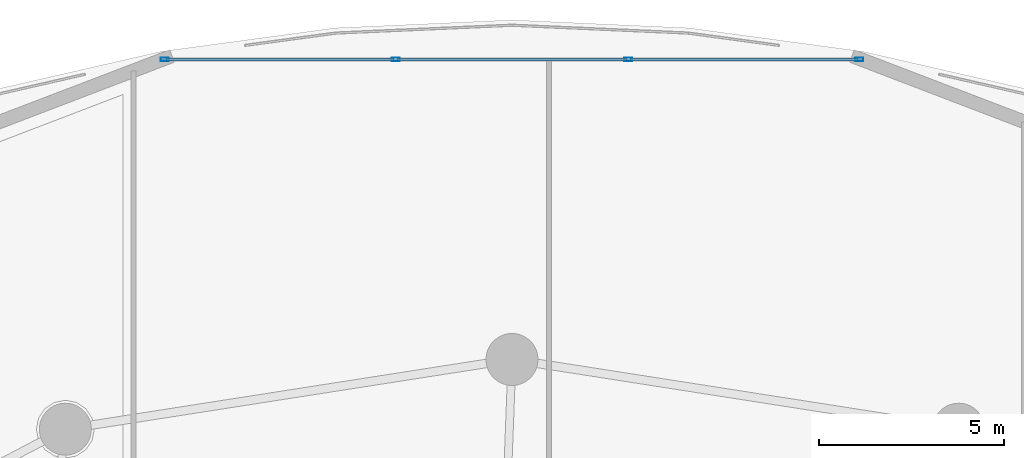
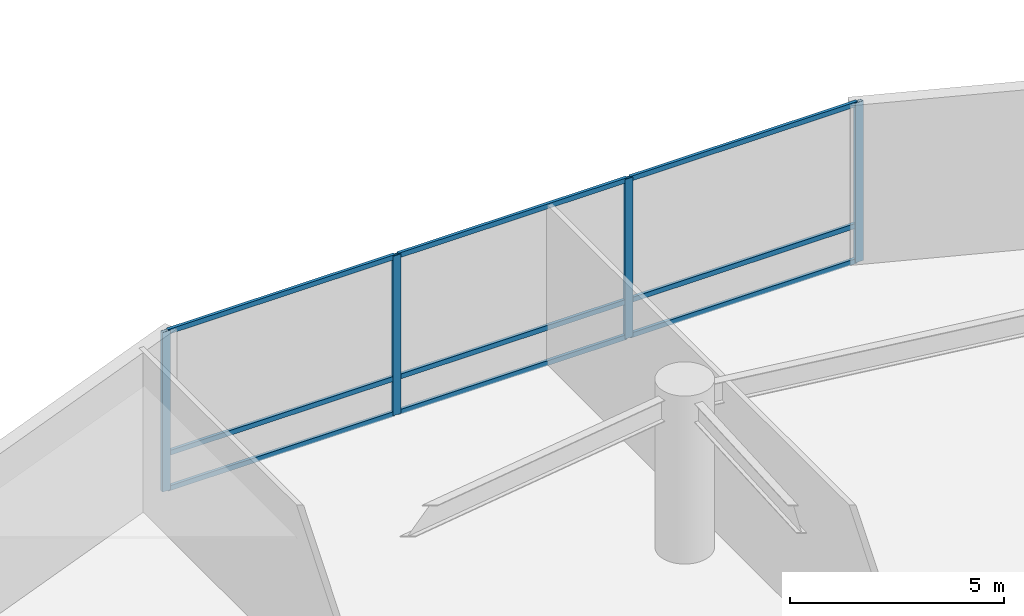
# One storey, part 13 of 26: 13 members, 1 element without a shape of its own.
"""IFC4 building model written with IfcOpenShell, lengths in metres."""

from ifc_helpers import new_model, si_unit, direction, frame, origin, origin_2d, place, context, subcontext, project, spatial, hollow_rectangle, extrude, material, layer, layer_set, material_profile, profile_set, type_object, element, aggregate, save


model = new_model("IFC4")

# Units and contexts
model_context = context("Model", 3, precision=1e-05, world=origin(), true_north=direction((0.0, 1.0)))
body_context = subcontext(model_context, "Body", "Model", "MODEL_VIEW")
ifc_project = project(units=[si_unit("LENGTHUNIT", "METRE"), si_unit("AREAUNIT", "SQUARE_METRE"), si_unit("VOLUMEUNIT", "CUBIC_METRE"), si_unit("PLANEANGLEUNIT", "RADIAN"), si_unit("MASSUNIT", "GRAM", prefix="KILO")], contexts=[model_context])

# Site, building, storey
site_placement = place(None, origin())
site = spatial("IfcSite", under=ifc_project, at=site_placement, CompositionType="ELEMENT")
building_placement = place(site_placement, origin())
building = spatial("IfcBuilding", under=site, at=building_placement, Name="Kazevale Care Tower and Concert Hall", CompositionType="ELEMENT")
storey_placement = place(building_placement, frame((0.0, 0.0, 19.199951171875)))
storey = spatial("IfcBuildingStorey", under=building, at=storey_placement, Name="L04", CompositionType="ELEMENT", Elevation=19.199951171875)

# Curtain wall, members
ifc_material_1 = material(Name="Aluminium 6063-T6 and Low-E Glass", Category="aluminium")
ifc_layer = layer(ifc_material_1, 0.179931640625)
ifc_layer_set = layer_set([ifc_layer], Name="Aluminium 6063-T6 and Low-E Glass")
curtain_wall_type = type_object("IfcCurtainWallType", Name="Podium Double-Skin Medical Curtain Wall CW-1", PredefinedType="NOTDEFINED", material=ifc_layer_set)
curtain_wall_placement = place(storey_placement, origin())
curtain_wall = element("IfcCurtainWall", 1, at=curtain_wall_placement, inside=storey, type_object=curtain_wall_type, Name="cw:L04:pod:04", PredefinedType="NOTDEFINED")
ifc_material_2 = material(Name="Aluminium 6063-T6", Category="aluminium")
ifc_material_profile_1 = material_profile(ifc_material_2, hollow_rectangle(XDim=0.090087890625, YDim=0.219970703125, WallThickness=0.0048828125, at=origin_2d()), Name="ALU90x220x5")
ifc_profile_set_1 = profile_set([ifc_material_profile_1], Name="Aluminium 6063-T6")
member_type_1 = type_object("IfcMemberType", Name="CW-1 Mullion ALU90x220x5", PredefinedType="MULLION", material=ifc_profile_set_1)
member_1_placement = place(storey_placement, frame((54.363037109375, 70.738037109375, 0.0), z_axis=(0.0, 0.0, 1.0), x_axis=(0.0, -1.0, 0.0)))
member_1 = element("IfcMember", 2, at=member_1_placement, type_object=member_type_1, Name="CW-1 mullion 1", PredefinedType="MULLION", context=body_context, shape_type="SweptSolid", body=[
    extrude(hollow_rectangle(XDim=0.090087890625, YDim=0.219970703125, WallThickness=0.0048828125, at=origin_2d()), origin(), (0.0, 0.0, 1.0), 4.56005859375),
])
member_2_placement = place(storey_placement, frame((48.135986328125, 70.738037109375, 0.0), z_axis=(0.0, 0.0, 1.0), x_axis=(0.0, -1.0, 0.0)))
member_2 = element("IfcMember", 3, at=member_2_placement, type_object=member_type_1, Name="CW-1 mullion 2", PredefinedType="MULLION", context=body_context, shape_type="SweptSolid", body=[
    extrude(hollow_rectangle(XDim=0.090087890625, YDim=0.219970703125, WallThickness=0.0048828125, at=origin_2d()), origin(), (0.0, 0.0, 1.0), 4.56005859375),
])
member_3_placement = place(storey_placement, frame((41.864013671875, 70.738037109375, 0.0), z_axis=(0.0, 0.0, 1.0), x_axis=(0.0, -1.0, 0.0)))
member_3 = element("IfcMember", 4, at=member_3_placement, type_object=member_type_1, Name="CW-1 mullion 3", PredefinedType="MULLION", context=body_context, shape_type="SweptSolid", body=[
    extrude(hollow_rectangle(XDim=0.090087890625, YDim=0.219970703125, WallThickness=0.0048828125, at=origin_2d()), origin(), (0.0, 0.0, 1.0), 4.56005859375),
])
member_4_placement = place(storey_placement, frame((35.636962890625, 70.738037109375, 0.0), z_axis=(0.0, 0.0, 1.0), x_axis=(0.0, -1.0, 0.0)))
member_4 = element("IfcMember", 5, at=member_4_placement, type_object=member_type_1, Name="CW-1 mullion 4", PredefinedType="MULLION", context=body_context, shape_type="SweptSolid", body=[
    extrude(hollow_rectangle(XDim=0.090087890625, YDim=0.219970703125, WallThickness=0.0048828125, at=origin_2d()), origin(), (0.0, 0.0, 1.0), 4.56005859375),
])
ifc_material_profile_2 = material_profile(ifc_material_2, hollow_rectangle(XDim=0.080078125, YDim=0.139892578125, WallThickness=0.00390625, at=origin_2d()), Name="ALU80x140x4")
ifc_profile_set_2 = profile_set([ifc_material_profile_2], Name="Aluminium 6063-T6")
member_type_2 = type_object("IfcMemberType", Name="CW-1 Transom ALU80x140x4", PredefinedType="USERDEFINED", material=ifc_profile_set_2)
member_5_placement = place(storey_placement, frame((54.318115234375, 70.738037109375, 0.0400390625), z_axis=(-1.0, 0.0, 0.0), x_axis=(0.0, -1.0, 0.0)))
member_5 = element("IfcMember", 6, at=member_5_placement, type_object=member_type_2, Name="CW-1 transom 1.1", ObjectType="TRANSOM", PredefinedType="USERDEFINED", context=body_context, shape_type="SweptSolid", body=[
    extrude(hollow_rectangle(XDim=0.080078125, YDim=0.139892578125, WallThickness=0.00390625, at=origin_2d()), origin(), (0.0, 0.0, 1.0), 6.13720703125),
])
member_6_placement = place(storey_placement, frame((54.318115234375, 70.738037109375, 1.050048828125), z_axis=(-1.0, 0.0, 0.0), x_axis=(0.0, -1.0, 0.0)))
member_6 = element("IfcMember", 7, at=member_6_placement, type_object=member_type_2, Name="CW-1 transom 1.2", ObjectType="TRANSOM", PredefinedType="USERDEFINED", context=body_context, shape_type="SweptSolid", body=[
    extrude(hollow_rectangle(XDim=0.080078125, YDim=0.139892578125, WallThickness=0.00390625, at=origin_2d()), origin(), (0.0, 0.0, 1.0), 6.13720703125),
])
member_7_placement = place(storey_placement, frame((54.318115234375, 70.738037109375, 4.52001953125), z_axis=(-1.0, 0.0, 0.0), x_axis=(0.0, -1.0, 0.0)))
member_7 = element("IfcMember", 8, at=member_7_placement, type_object=member_type_2, Name="CW-1 transom 1.3", ObjectType="TRANSOM", PredefinedType="USERDEFINED", context=body_context, shape_type="SweptSolid", body=[
    extrude(hollow_rectangle(XDim=0.080078125, YDim=0.139892578125, WallThickness=0.00390625, at=origin_2d()), origin(), (0.0, 0.0, 1.0), 6.13720703125),
])
member_8_placement = place(storey_placement, frame((48.091064453125, 70.738037109375, 0.0400390625), z_axis=(-1.0, 0.0, 0.0), x_axis=(0.0, -1.0, 0.0)))
member_8 = element("IfcMember", 9, at=member_8_placement, type_object=member_type_2, Name="CW-1 transom 2.1", ObjectType="TRANSOM", PredefinedType="USERDEFINED", context=body_context, shape_type="SweptSolid", body=[
    extrude(hollow_rectangle(XDim=0.080078125, YDim=0.139892578125, WallThickness=0.00390625, at=origin_2d()), origin(), (0.0, 0.0, 1.0), 6.18212890625),
])
member_9_placement = place(storey_placement, frame((48.091064453125, 70.738037109375, 1.050048828125), z_axis=(-1.0, 0.0, 0.0), x_axis=(0.0, -1.0, 0.0)))
member_9 = element("IfcMember", 10, at=member_9_placement, type_object=member_type_2, Name="CW-1 transom 2.2", ObjectType="TRANSOM", PredefinedType="USERDEFINED", context=body_context, shape_type="SweptSolid", body=[
    extrude(hollow_rectangle(XDim=0.080078125, YDim=0.139892578125, WallThickness=0.00390625, at=origin_2d()), origin(), (0.0, 0.0, 1.0), 6.18212890625),
])
member_10_placement = place(storey_placement, frame((48.091064453125, 70.738037109375, 4.52001953125), z_axis=(-1.0, 0.0, 0.0), x_axis=(0.0, -1.0, 0.0)))
member_10 = element("IfcMember", 11, at=member_10_placement, type_object=member_type_2, Name="CW-1 transom 2.3", ObjectType="TRANSOM", PredefinedType="USERDEFINED", context=body_context, shape_type="SweptSolid", body=[
    extrude(hollow_rectangle(XDim=0.080078125, YDim=0.139892578125, WallThickness=0.00390625, at=origin_2d()), origin(), (0.0, 0.0, 1.0), 6.18212890625),
])
member_11_placement = place(storey_placement, frame((41.819091796875, 70.738037109375, 0.0400390625), z_axis=(-1.0, 0.0, 0.0), x_axis=(0.0, -1.0, 0.0)))
member_11 = element("IfcMember", 12, at=member_11_placement, type_object=member_type_2, Name="CW-1 transom 3.1", ObjectType="TRANSOM", PredefinedType="USERDEFINED", context=body_context, shape_type="SweptSolid", body=[
    extrude(hollow_rectangle(XDim=0.080078125, YDim=0.139892578125, WallThickness=0.00390625, at=origin_2d()), origin(), (0.0, 0.0, 1.0), 6.13720703125),
])
member_12_placement = place(storey_placement, frame((41.819091796875, 70.738037109375, 1.050048828125), z_axis=(-1.0, 0.0, 0.0), x_axis=(0.0, -1.0, 0.0)))
member_12 = element("IfcMember", 13, at=member_12_placement, type_object=member_type_2, Name="CW-1 transom 3.2", ObjectType="TRANSOM", PredefinedType="USERDEFINED", context=body_context, shape_type="SweptSolid", body=[
    extrude(hollow_rectangle(XDim=0.080078125, YDim=0.139892578125, WallThickness=0.00390625, at=origin_2d()), origin(), (0.0, 0.0, 1.0), 6.13720703125),
])
member_13_placement = place(storey_placement, frame((41.819091796875, 70.738037109375, 4.52001953125), z_axis=(-1.0, 0.0, 0.0), x_axis=(0.0, -1.0, 0.0)))
member_13 = element("IfcMember", 14, at=member_13_placement, type_object=member_type_2, Name="CW-1 transom 3.3", ObjectType="TRANSOM", PredefinedType="USERDEFINED", context=body_context, shape_type="SweptSolid", body=[
    extrude(hollow_rectangle(XDim=0.080078125, YDim=0.139892578125, WallThickness=0.00390625, at=origin_2d()), origin(), (0.0, 0.0, 1.0), 6.13720703125),
])
aggregate(curtain_wall, [member_1, member_2, member_3, member_4, member_5, member_6, member_7, member_8, member_9, member_10, member_11, member_12, member_13])

save(model, "model.ifc")
